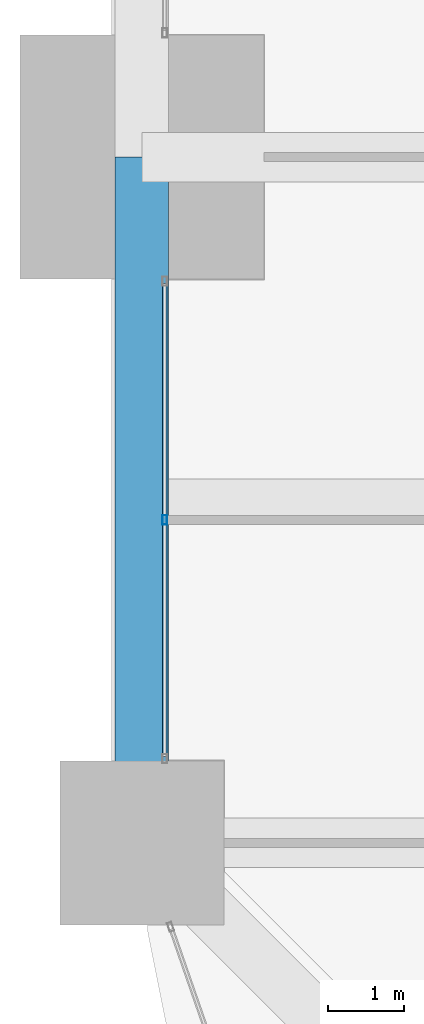
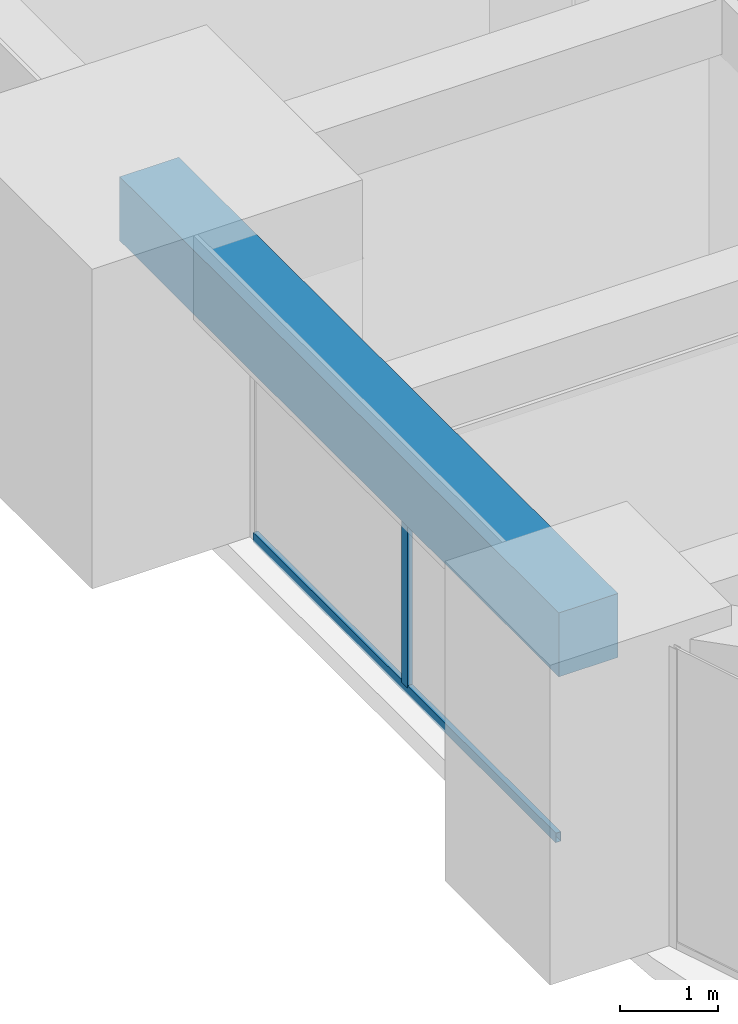
# One storey, part 7 of 43: 2 members, 1 beam, 1 element without a shape of its own.
"""IFC4 building model written with IfcOpenShell, lengths in metres."""

import ifcopenshell
import ifcopenshell.guid

model = None  # the IFC model being written
_history = None  # IfcOwnerHistory: only IFC2X3 demands one
_inside = {}  # id of a spatial element -> (the spatial element, [elements in it])
_under = {}  # id of a project, library or spatial element -> (it, [spatial elements below it])
_declared = {}  # id of a project -> (the project, [libraries it declares])
_typed = {}  # id of a type object -> (the type object, [elements of that type])
_made_of = {}  # id of a material, layer set ... -> (it, [elements and type objects made of it])


def new_model(schema):
    """Start an empty IFC model of exactly this schema.

    Asked for "IFC4X3", IfcOpenShell would pick the latest addendum, in which some entities
    have other attributes; the version numbers below select the first issue.
    IFC2X3 requires an IfcOwnerHistory on every rooted entity: one is made here for all.
    """
    global model, _history
    if schema == "IFC4X3":
        model = ifcopenshell.file(schema_version=(4, 3, 0, 0))
    else:
        model = ifcopenshell.file(schema=schema)
    _inside.clear()
    _under.clear()
    _declared.clear()
    _typed.clear()
    _made_of.clear()
    _history = None
    if model.schema == "IFC2X3":
        org = make("IfcOrganization", Name="unknown")
        user = make(
            "IfcPersonAndOrganization",
            ThePerson=make("IfcPerson", FamilyName="unknown"),
            TheOrganization=org,
        )
        app = make(
            "IfcApplication",
            ApplicationDeveloper=org,
            Version="unknown",
            ApplicationFullName="unknown",
            ApplicationIdentifier="unknown",
        )
        _history = make(
            "IfcOwnerHistory",
            OwningUser=user,
            OwningApplication=app,
            ChangeAction="ADDED",
            CreationDate=0,
        )
    return model


def make(cls, **values):
    """One entity of the class cls with the attributes given. An attribute that is None is left unset."""
    return model.create_entity(
        cls, **{name: value for name, value in values.items() if value is not None}
    )


def rooted(cls, **values):
    """An entity with a GlobalId (a new one), such as an element, a storey or a relation."""
    return make(cls, GlobalId=ifcopenshell.guid.new(), OwnerHistory=_history, **values)


def si_unit(unit_type, name, prefix=None):
    """IfcSIUnit, for example si_unit("LENGTHUNIT", "METRE", prefix="MILLI")."""
    return make("IfcSIUnit", UnitType=unit_type, Prefix=prefix, Name=name)


def assignment(units):
    """IfcUnitAssignment: the units of a project."""
    return None if units is None else make("IfcUnitAssignment", Units=units)


def point(xyz):
    """IfcCartesianPoint."""
    return None if xyz is None else make("IfcCartesianPoint", Coordinates=xyz)


def direction(xyz):
    """IfcDirection."""
    return None if xyz is None else make("IfcDirection", DirectionRatios=xyz)


def frame(location, z_axis=None, x_axis=None):
    """IfcAxis2Placement3D, a coordinate frame: its origin and axes. An axis left out is left unset."""
    return make(
        "IfcAxis2Placement3D",
        Location=point(location),
        Axis=direction(z_axis),
        RefDirection=direction(x_axis),
    )


def frame_2d(location, x_axis=None):
    """IfcAxis2Placement2D, a coordinate frame in the plane: its origin and x axis."""
    return make(
        "IfcAxis2Placement2D", Location=point(location), RefDirection=direction(x_axis)
    )


def origin():
    """The frame at (0, 0, 0) with its axes left unset."""
    return frame((0.0, 0.0, 0.0))


def origin_2d():
    """The frame at (0, 0) in the plane with its x axis left unset."""
    return frame_2d((0.0, 0.0))


def place(relative_to, where):
    """IfcLocalPlacement: puts the frame where relative to a parent placement (None: the world)."""
    return make(
        "IfcLocalPlacement", PlacementRelTo=relative_to, RelativePlacement=where
    )


def context(
    kind, dimensions, precision=None, world=None, true_north=None, identifier=None
):
    """IfcGeometricRepresentationContext, for example the 3D "Model" context."""
    return make(
        "IfcGeometricRepresentationContext",
        ContextIdentifier=identifier,
        ContextType=kind,
        CoordinateSpaceDimension=dimensions,
        Precision=precision,
        WorldCoordinateSystem=world,
        TrueNorth=true_north,
    )


def subcontext(parent, identifier, kind, view, scale=None):
    """IfcGeometricRepresentationSubContext, for example "Body" below "Model"."""
    return make(
        "IfcGeometricRepresentationSubContext",
        ContextIdentifier=identifier,
        ContextType=kind,
        ParentContext=parent,
        TargetScale=scale,
        TargetView=view,
    )


def project(units=None, contexts=None):
    """IfcProject with its units and contexts."""
    return rooted(
        "IfcProject",
        Name="project",
        RepresentationContexts=contexts,
        UnitsInContext=assignment(units),
    )


def spatial(cls, under=None, at=None, **own):
    """A site, building, storey or space (cls), placed at a placement, below another one or the project."""
    s = rooted(cls, ObjectPlacement=at, **own)
    if under is not None:
        _under.setdefault(under.id(), (under, []))[1].append(s)
    return s


def profile(cls, at=None, kind="AREA", **sizes):
    """A parametric profile (cls). Its sizes go by their IFC names, for example OverallWidth=200.0."""
    return make(cls, ProfileType=kind, Position=at, **sizes)


def rectangle(**sizes):
    """IfcRectangleProfileDef."""
    return profile("IfcRectangleProfileDef", **sizes)


def hollow_rectangle(**sizes):
    """IfcRectangleHollowProfileDef."""
    return profile("IfcRectangleHollowProfileDef", **sizes)


def extrude(swept, where, along, depth):
    """IfcExtrudedAreaSolid: the profile swept, set in the frame where, extruded along a direction by depth."""
    return make(
        "IfcExtrudedAreaSolid",
        SweptArea=swept,
        Position=where,
        ExtrudedDirection=direction(along),
        Depth=depth,
    )


def shape(context_of_items, identifier, shape_type, items):
    """IfcShapeRepresentation: the items that make up one representation, for example the "Body"."""
    return make(
        "IfcShapeRepresentation",
        ContextOfItems=context_of_items,
        RepresentationIdentifier=identifier,
        RepresentationType=shape_type,
        Items=items,
    )


def material(Name=None, Category=None):
    """IfcMaterial."""
    return make("IfcMaterial", Name=Name, Category=Category)


def material_profile(
    of_material, cross_section, Name=None, Category=None, Priority=None
):
    """IfcMaterialProfile: a cross section and its material."""
    return make(
        "IfcMaterialProfile",
        Name=Name,
        Material=of_material,
        Profile=cross_section,
        Priority=Priority,
        Category=Category,
    )


def profile_set(profiles, Name=None, composite=None):
    """IfcMaterialProfileSet."""
    return make(
        "IfcMaterialProfileSet",
        Name=Name,
        MaterialProfiles=profiles,
        CompositeProfile=composite,
    )


def made_of(thing, what):
    """Note that an element or type object is made of a material, layer set ...; save() writes the relation."""
    if what is not None:
        _made_of.setdefault(what.id(), (what, []))[1].append(thing)
    return thing


def type_object(cls, material=None, **own):
    """A type object (cls), such as IfcWallType, which elements share."""
    return made_of(rooted(cls, **own), material)


def element(
    cls,
    number,
    at=None,
    inside=None,
    cuts=None,
    type_object=None,
    material=None,
    context=None,
    identifier="Body",
    shape_type=None,
    held_by="IfcProductDefinitionShape",
    body=None,
    shapes=None,
    **own,
):
    """One element of the class cls, such as IfcWall. Its Tag is "e" and its number.

    at: its placement. inside: the storey or other place that contains it. cuts: it is an
    opening in that element (IfcRelVoidsElement). A single representation is given by context,
    identifier, shape_type and body (its items); several are given by shapes. held_by: the class
    of the entity that holds the representations. save() writes the other relations.
    """
    e = rooted(cls, Tag="e%d" % number, ObjectPlacement=at, **own)
    if body is not None:
        shapes = [shape(context, identifier, shape_type, body)]
    if shapes is not None:
        e.Representation = make(held_by, Representations=shapes)
    if inside is not None:
        _inside.setdefault(inside.id(), (inside, []))[1].append(e)
    if cuts is not None:
        rooted(
            "IfcRelVoidsElement", RelatingBuildingElement=cuts, RelatedOpeningElement=e
        )
    if type_object is not None:
        _typed.setdefault(type_object.id(), (type_object, []))[1].append(e)
    return made_of(e, material)


def aggregate(whole, parts):
    """IfcRelAggregates: a whole, such as a stair, and the parts it consists of."""
    return rooted("IfcRelAggregates", RelatingObject=whole, RelatedObjects=parts)


def save(model, path):
    """Write the relations noted so far, then the file.

    IfcRelAggregates (storeys below a building ...), IfcRelContainedInSpatialStructure (elements
    in a storey), IfcRelDefinesByType, IfcRelAssociatesMaterial and IfcRelDeclares: one each for
    every whole, place, type object, material and project.
    """
    for whole, parts in _under.values():
        aggregate(whole, parts)
    for where, things in _inside.values():
        rooted(
            "IfcRelContainedInSpatialStructure",
            RelatedElements=things,
            RelatingStructure=where,
        )
    for kind, things in _typed.values():
        rooted("IfcRelDefinesByType", RelatedObjects=things, RelatingType=kind)
    for what, things in _made_of.values():
        rooted("IfcRelAssociatesMaterial", RelatedObjects=things, RelatingMaterial=what)
    for by, libraries in _declared.values():
        rooted("IfcRelDeclares", RelatingContext=by, RelatedDefinitions=libraries)
    model.write(path)


model = new_model("IFC4")

# Units and contexts
model_context = context("Model", 3, precision=1e-05, world=origin(), true_north=direction((0.0, 1.0)))
body_context = subcontext(model_context, "Body", "Model", "MODEL_VIEW")
ifc_project = project(units=[si_unit("LENGTHUNIT", "METRE"), si_unit("AREAUNIT", "SQUARE_METRE"), si_unit("VOLUMEUNIT", "CUBIC_METRE"), si_unit("PLANEANGLEUNIT", "RADIAN"), si_unit("MASSUNIT", "GRAM", prefix="KILO")], contexts=[model_context])

# Site, building, storey
site_placement = place(None, origin())
site = spatial("IfcSite", under=ifc_project, at=site_placement, CompositionType="ELEMENT")
building_placement = place(site_placement, origin())
building = spatial("IfcBuilding", under=site, at=building_placement, Name="Zorevar Civic Tower", CompositionType="ELEMENT")
storey_placement = place(building_placement, frame((0.0, 0.0, 243.39990234375)))
storey = spatial("IfcBuildingStorey", under=building, at=storey_placement, Name="L59", CompositionType="ELEMENT", Elevation=243.39990234375)

# Curtain wall, members
ifc_material_1 = material(Name="Dark grey solar-control glass in black aluminium frame", Category="aluminium")
curtain_wall_type = type_object("IfcCurtainWallType", Name="Curtain wall CW5 top zone", PredefinedType="NOTDEFINED", material=ifc_material_1)
curtain_wall_placement = place(storey_placement, origin())
curtain_wall = element("IfcCurtainWall", 1, at=curtain_wall_placement, inside=storey, type_object=curtain_wall_type, Name="CW5 L59", PredefinedType="NOTDEFINED")
ifc_material_2 = material(Name="Aluminium, black anodised", Category="aluminium")
ifc_material_profile_1 = material_profile(ifc_material_2, hollow_rectangle(XDim=0.06005859375, YDim=0.1201171875, WallThickness=0.0029296875, at=origin_2d()), Name="AL 120x60x3")
ifc_profile_set_1 = profile_set([ifc_material_profile_1], Name="Aluminium, black anodised")
member_type_1 = type_object("IfcMemberType", Name="CW5 mullion AL 120x60x3", PredefinedType="MULLION", material=ifc_profile_set_1)
member_1_placement = place(storey_placement, frame((9.300048828125, 13.237548828125, 0.06005859375), z_axis=(0.0, 0.0, 1.0), x_axis=(-1.0, 0.0, 0.0)))
member_1 = element("IfcMember", 2, at=member_1_placement, type_object=member_type_1, Name="CW5 mullion 2", PredefinedType="MULLION", context=body_context, shape_type="SweptSolid", body=[
    extrude(hollow_rectangle(XDim=0.06005859375, YDim=0.1201171875, WallThickness=0.0029296875, at=origin_2d()), origin(), (0.0, 0.0, 1.0), 2.89013671875),
])
ifc_material_3 = material(Name="Aluminium, black anodised", Category="aluminium")
ifc_material_profile_2 = material_profile(ifc_material_3, hollow_rectangle(XDim=0.06005859375, YDim=0.1201171875, WallThickness=0.0029296875, at=origin_2d()), Name="AL 120x60x3")
ifc_profile_set_2 = profile_set([ifc_material_profile_2], Name="Aluminium, black anodised")
member_type_2 = type_object("IfcMemberType", Name="CW5 transom AL 120x60x3", PredefinedType="USERDEFINED", material=ifc_profile_set_2)
member_2_placement = place(storey_placement, frame((9.300048828125, 10.135009765625, 0.030029296875), z_axis=(0.0, 1.0, 0.0), x_axis=(-1.0, 0.0, 0.0)))
member_2 = element("IfcMember", 3, at=member_2_placement, type_object=member_type_2, Name="CW5 sill transom", ObjectType="TRANSOM", PredefinedType="USERDEFINED", context=body_context, shape_type="SweptSolid", body=[
    extrude(hollow_rectangle(XDim=0.06005859375, YDim=0.1201171875, WallThickness=0.0029296875, at=origin_2d()), origin(), (0.0, 0.0, 1.0), 6.205078125),
])
aggregate(curtain_wall, [member_1, member_2])

# Beam
ifc_material_4 = material(Name="Concrete C50/60", Category="concrete")
ifc_material_profile_3 = material_profile(ifc_material_4, rectangle(XDim=0.699951171875, YDim=0.800048828125, at=origin_2d()), Name="RC 700x800")
ifc_profile_set_3 = profile_set([ifc_material_profile_3], Name="Concrete C50/60")
beam_type = type_object("IfcBeamType", Name="Edge beam RC 700x800", PredefinedType="SPANDREL", material=ifc_profile_set_3)
beam_placement = place(storey_placement, frame((9.0, 9.0, 3.35009765625), z_axis=(0.0, 1.0, 0.0), x_axis=(-1.0, 0.0, 0.0)))
element("IfcBeam", 4, at=beam_placement, inside=storey, type_object=beam_type, Name="Edge beam L60", PredefinedType="SPANDREL", context=body_context, shape_type="SweptSolid", body=[
    extrude(rectangle(XDim=0.699951171875, YDim=0.800048828125, at=origin_2d()), origin(), (0.0, 0.0, 1.0), 9.0),
])

save(model, "model.ifc")
